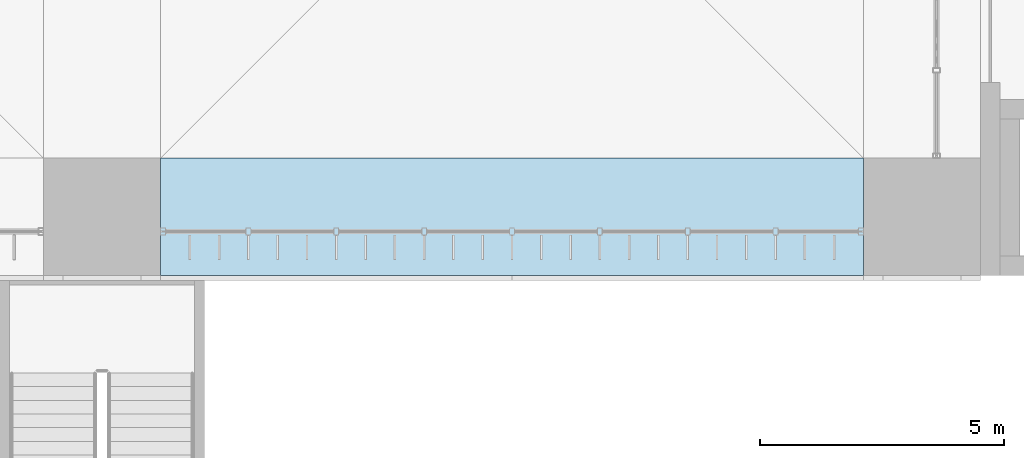
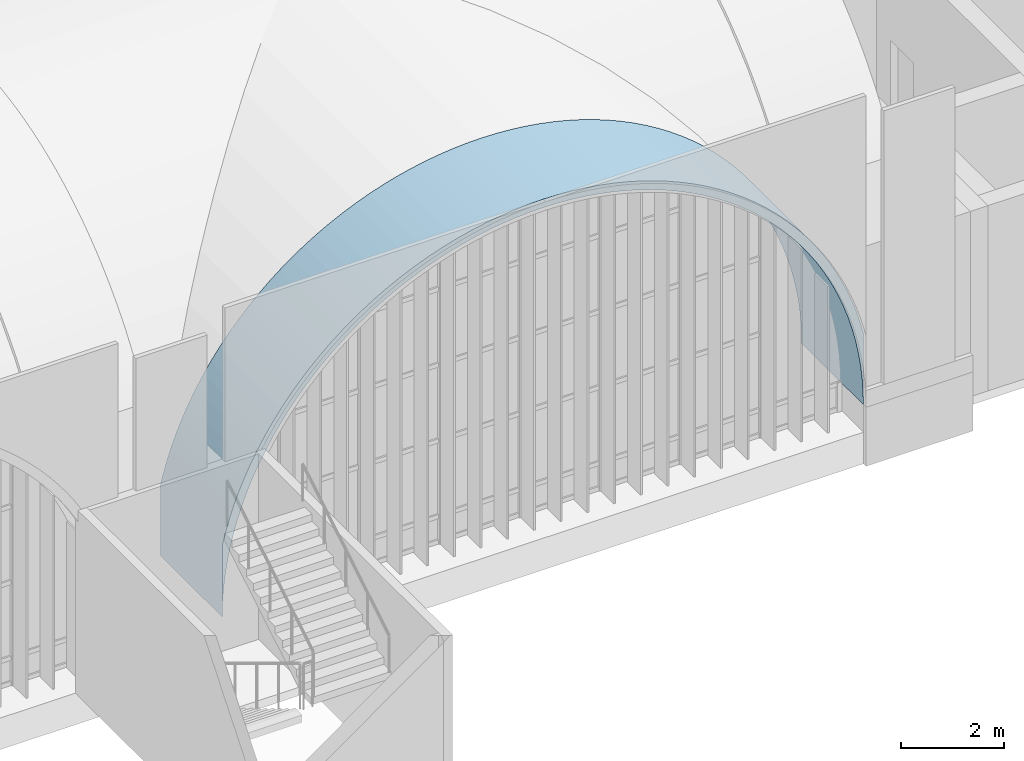
# One storey, part 140 of 169: 1 roof.
"""IFC4 building model written with IfcOpenShell, lengths in metres."""

import ifcopenshell
import ifcopenshell.guid

model = None  # the IFC model being written
_history = None  # IfcOwnerHistory: only IFC2X3 demands one
_inside = {}  # id of a spatial element -> (the spatial element, [elements in it])
_under = {}  # id of a project, library or spatial element -> (it, [spatial elements below it])
_declared = {}  # id of a project -> (the project, [libraries it declares])
_typed = {}  # id of a type object -> (the type object, [elements of that type])
_made_of = {}  # id of a material, layer set ... -> (it, [elements and type objects made of it])


def new_model(schema):
    """Start an empty IFC model of exactly this schema.

    Asked for "IFC4X3", IfcOpenShell would pick the latest addendum, in which some entities
    have other attributes; the version numbers below select the first issue.
    IFC2X3 requires an IfcOwnerHistory on every rooted entity: one is made here for all.
    """
    global model, _history
    if schema == "IFC4X3":
        model = ifcopenshell.file(schema_version=(4, 3, 0, 0))
    else:
        model = ifcopenshell.file(schema=schema)
    _inside.clear()
    _under.clear()
    _declared.clear()
    _typed.clear()
    _made_of.clear()
    _history = None
    if model.schema == "IFC2X3":
        org = make("IfcOrganization", Name="unknown")
        user = make(
            "IfcPersonAndOrganization",
            ThePerson=make("IfcPerson", FamilyName="unknown"),
            TheOrganization=org,
        )
        app = make(
            "IfcApplication",
            ApplicationDeveloper=org,
            Version="unknown",
            ApplicationFullName="unknown",
            ApplicationIdentifier="unknown",
        )
        _history = make(
            "IfcOwnerHistory",
            OwningUser=user,
            OwningApplication=app,
            ChangeAction="ADDED",
            CreationDate=0,
        )
    return model


def make(cls, **values):
    """One entity of the class cls with the attributes given. An attribute that is None is left unset."""
    return model.create_entity(
        cls, **{name: value for name, value in values.items() if value is not None}
    )


def rooted(cls, **values):
    """An entity with a GlobalId (a new one), such as an element, a storey or a relation."""
    return make(cls, GlobalId=ifcopenshell.guid.new(), OwnerHistory=_history, **values)


def si_unit(unit_type, name, prefix=None):
    """IfcSIUnit, for example si_unit("LENGTHUNIT", "METRE", prefix="MILLI")."""
    return make("IfcSIUnit", UnitType=unit_type, Prefix=prefix, Name=name)


def assignment(units):
    """IfcUnitAssignment: the units of a project."""
    return None if units is None else make("IfcUnitAssignment", Units=units)


def point(xyz):
    """IfcCartesianPoint."""
    return None if xyz is None else make("IfcCartesianPoint", Coordinates=xyz)


def direction(xyz):
    """IfcDirection."""
    return None if xyz is None else make("IfcDirection", DirectionRatios=xyz)


def frame(location, z_axis=None, x_axis=None):
    """IfcAxis2Placement3D, a coordinate frame: its origin and axes. An axis left out is left unset."""
    return make(
        "IfcAxis2Placement3D",
        Location=point(location),
        Axis=direction(z_axis),
        RefDirection=direction(x_axis),
    )


def origin():
    """The frame at (0, 0, 0) with its axes left unset."""
    return frame((0.0, 0.0, 0.0))


def place(relative_to, where):
    """IfcLocalPlacement: puts the frame where relative to a parent placement (None: the world)."""
    return make(
        "IfcLocalPlacement", PlacementRelTo=relative_to, RelativePlacement=where
    )


def context(
    kind, dimensions, precision=None, world=None, true_north=None, identifier=None
):
    """IfcGeometricRepresentationContext, for example the 3D "Model" context."""
    return make(
        "IfcGeometricRepresentationContext",
        ContextIdentifier=identifier,
        ContextType=kind,
        CoordinateSpaceDimension=dimensions,
        Precision=precision,
        WorldCoordinateSystem=world,
        TrueNorth=true_north,
    )


def subcontext(parent, identifier, kind, view, scale=None):
    """IfcGeometricRepresentationSubContext, for example "Body" below "Model"."""
    return make(
        "IfcGeometricRepresentationSubContext",
        ContextIdentifier=identifier,
        ContextType=kind,
        ParentContext=parent,
        TargetScale=scale,
        TargetView=view,
    )


def project(units=None, contexts=None):
    """IfcProject with its units and contexts."""
    return rooted(
        "IfcProject",
        Name="project",
        RepresentationContexts=contexts,
        UnitsInContext=assignment(units),
    )


def spatial(cls, under=None, at=None, **own):
    """A site, building, storey or space (cls), placed at a placement, below another one or the project."""
    s = rooted(cls, ObjectPlacement=at, **own)
    if under is not None:
        _under.setdefault(under.id(), (under, []))[1].append(s)
    return s


def point_list(points):
    """IfcCartesianPointList2D or 3D."""
    cls = (
        "IfcCartesianPointList2D" if len(points[0]) == 2 else "IfcCartesianPointList3D"
    )
    return make(cls, CoordList=points)


def polygons(points, faces, closed=None, point_numbers=None):
    """IfcPolygonalFaceSet: a face is its outer loop, then its inner loops; points numbered from 1."""
    made = []
    for loops in faces:
        if len(loops) == 1:
            made.append(make("IfcIndexedPolygonalFace", CoordIndex=loops[0]))
        else:
            made.append(
                make(
                    "IfcIndexedPolygonalFaceWithVoids",
                    CoordIndex=loops[0],
                    InnerCoordIndices=loops[1:],
                )
            )
    return make(
        "IfcPolygonalFaceSet",
        Coordinates=point_list(points),
        Closed=closed,
        Faces=made,
        PnIndex=point_numbers,
    )


def shape(context_of_items, identifier, shape_type, items):
    """IfcShapeRepresentation: the items that make up one representation, for example the "Body"."""
    return make(
        "IfcShapeRepresentation",
        ContextOfItems=context_of_items,
        RepresentationIdentifier=identifier,
        RepresentationType=shape_type,
        Items=items,
    )


def material(Name=None, Category=None):
    """IfcMaterial."""
    return make("IfcMaterial", Name=Name, Category=Category)


def layer(
    of_material, thickness, ventilated=None, Name=None, Category=None, Priority=None
):
    """IfcMaterialLayer: one layer of a wall or slab, of a material (None: an air gap)."""
    return make(
        "IfcMaterialLayer",
        Material=of_material,
        LayerThickness=thickness,
        IsVentilated=ventilated,
        Name=Name,
        Category=Category,
        Priority=Priority,
    )


def layer_set(layers, Name=None):
    """IfcMaterialLayerSet."""
    return make("IfcMaterialLayerSet", MaterialLayers=layers, LayerSetName=Name)


def made_of(thing, what):
    """Note that an element or type object is made of a material, layer set ...; save() writes the relation."""
    if what is not None:
        _made_of.setdefault(what.id(), (what, []))[1].append(thing)
    return thing


def type_object(cls, material=None, **own):
    """A type object (cls), such as IfcWallType, which elements share."""
    return made_of(rooted(cls, **own), material)


def element(
    cls,
    number,
    at=None,
    inside=None,
    cuts=None,
    type_object=None,
    material=None,
    context=None,
    identifier="Body",
    shape_type=None,
    held_by="IfcProductDefinitionShape",
    body=None,
    shapes=None,
    **own,
):
    """One element of the class cls, such as IfcWall. Its Tag is "e" and its number.

    at: its placement. inside: the storey or other place that contains it. cuts: it is an
    opening in that element (IfcRelVoidsElement). A single representation is given by context,
    identifier, shape_type and body (its items); several are given by shapes. held_by: the class
    of the entity that holds the representations. save() writes the other relations.
    """
    e = rooted(cls, Tag="e%d" % number, ObjectPlacement=at, **own)
    if body is not None:
        shapes = [shape(context, identifier, shape_type, body)]
    if shapes is not None:
        e.Representation = make(held_by, Representations=shapes)
    if inside is not None:
        _inside.setdefault(inside.id(), (inside, []))[1].append(e)
    if cuts is not None:
        rooted(
            "IfcRelVoidsElement", RelatingBuildingElement=cuts, RelatedOpeningElement=e
        )
    if type_object is not None:
        _typed.setdefault(type_object.id(), (type_object, []))[1].append(e)
    return made_of(e, material)


def aggregate(whole, parts):
    """IfcRelAggregates: a whole, such as a stair, and the parts it consists of."""
    return rooted("IfcRelAggregates", RelatingObject=whole, RelatedObjects=parts)


def save(model, path):
    """Write the relations noted so far, then the file.

    IfcRelAggregates (storeys below a building ...), IfcRelContainedInSpatialStructure (elements
    in a storey), IfcRelDefinesByType, IfcRelAssociatesMaterial and IfcRelDeclares: one each for
    every whole, place, type object, material and project.
    """
    for whole, parts in _under.values():
        aggregate(whole, parts)
    for where, things in _inside.values():
        rooted(
            "IfcRelContainedInSpatialStructure",
            RelatedElements=things,
            RelatingStructure=where,
        )
    for kind, things in _typed.values():
        rooted("IfcRelDefinesByType", RelatedObjects=things, RelatingType=kind)
    for what, things in _made_of.values():
        rooted("IfcRelAssociatesMaterial", RelatedObjects=things, RelatingMaterial=what)
    for by, libraries in _declared.values():
        rooted("IfcRelDeclares", RelatingContext=by, RelatedDefinitions=libraries)
    model.write(path)


model = new_model("IFC4")

# Units and contexts
model_context = context("Model", 3, precision=1e-05, world=origin(), true_north=direction((0.0, 1.0)))
body_context = subcontext(model_context, "Body", "Model", "MODEL_VIEW")
ifc_project = project(units=[si_unit("LENGTHUNIT", "METRE"), si_unit("AREAUNIT", "SQUARE_METRE"), si_unit("VOLUMEUNIT", "CUBIC_METRE"), si_unit("PLANEANGLEUNIT", "RADIAN"), si_unit("MASSUNIT", "GRAM", prefix="KILO")], contexts=[model_context])

# Site, building, storey
site_placement = place(None, origin())
site = spatial("IfcSite", under=ifc_project, at=site_placement, CompositionType="ELEMENT")
building_placement = place(site_placement, origin())
building = spatial("IfcBuilding", under=site, at=building_placement, Name="Verrick Yard Athletic Hall", CompositionType="ELEMENT")
storey_placement = place(building_placement, frame((0.0, 0.0, 4.39990234375)))
storey = spatial("IfcBuildingStorey", under=building, at=storey_placement, Name="L01", CompositionType="ELEMENT", Elevation=4.39990234375)

# Roof
ifc_material = material(Name="Concrete 35 MPa", Category="concrete")
ifc_layer = layer(ifc_material, 0.199951171875)
ifc_layer_set = layer_set([ifc_layer], Name="Arch rib 200")
roof_type = type_object("IfcRoofType", Name="Arch rib 200", PredefinedType="BARREL_ROOF", material=ifc_layer_set)
roof_placement = place(storey_placement, origin())
element("IfcRoof", 1, at=roof_placement, inside=storey, type_object=roof_type, Name="Vault rib S7", PredefinedType="BARREL_ROOF", context=body_context, shape_type="Tessellation", body=[
    polygons([(142.0, 18.0, 2.352294921875), (142.0, 18.0, 0.650146484375), (142.0068359375, 18.0, 0.964111328125), (142.02734375, 18.0, 1.277587890625), (142.0615234375, 18.0, 1.58984375), (142.109375, 18.0, 1.900390625), (142.170654296875, 18.0, 2.20849609375), (142.245361328125, 18.0, 2.513671875), (142.333251953125, 18.0, 2.815185546875), (142.43408203125, 18.0, 3.112548828125), (142.548095703125, 18.0, 3.405517578125), (142.674560546875, 18.0, 3.693115234375), (142.8134765625, 18.0, 3.974609375), (142.964599609375, 18.0, 4.25), (143.127685546875, 18.0, 4.518798828125), (143.302001953125, 18.0, 4.77978515625), (143.48779296875, 18.0, 5.033203125), (143.6845703125, 18.0, 5.278076171875), (143.8916015625, 18.0, 5.514404296875), (144.10888671875, 18.0, 5.7412109375), (144.335693359375, 18.0, 5.95849609375), (144.572021484375, 18.0, 6.16552734375), (144.81689453125, 18.0, 6.3623046875), (145.0703125, 18.0, 6.548095703125), (145.331298828125, 18.0, 6.722412109375), (145.60009765625, 18.0, 6.885498046875), (145.87548828125, 18.0, 7.03662109375), (146.156982421875, 18.0, 7.175537109375), (146.444580078125, 18.0, 7.302001953125), (146.737548828125, 18.0, 7.416015625), (147.034912109375, 18.0, 7.516845703125), (147.33642578125, 18.0, 7.604736328125), (147.6416015625, 18.0, 7.679443359375), (147.94970703125, 18.0, 7.74072265625), (148.26025390625, 18.0, 7.78857421875), (148.572509765625, 18.0, 7.82275390625), (148.885986328125, 18.0, 7.84326171875), (149.199951171875, 18.0, 7.85009765625), (149.51416015625, 18.0, 7.84326171875), (149.827392578125, 18.0, 7.82275390625), (150.139892578125, 18.0, 7.78857421875), (150.4501953125, 18.0, 7.74072265625), (150.75830078125, 18.0, 7.679443359375), (151.0634765625, 18.0, 7.604736328125), (151.364990234375, 18.0, 7.516845703125), (151.66259765625, 18.0, 7.416015625), (151.955322265625, 18.0, 7.302001953125), (152.242919921875, 18.0, 7.175537109375), (152.524658203125, 18.0, 7.03662109375), (152.800048828125, 18.0, 6.885498046875), (153.068603515625, 18.0, 6.722412109375), (153.329833984375, 18.0, 6.548095703125), (153.5830078125, 18.0, 6.3623046875), (153.828125, 18.0, 6.16552734375), (154.064208984375, 18.0, 5.95849609375), (154.291259765625, 18.0, 5.7412109375), (154.50830078125, 18.0, 5.514404296875), (154.715576171875, 18.0, 5.278076171875), (154.912109375, 18.0, 5.033203125), (155.097900390625, 18.0, 4.77978515625), (155.2724609375, 18.0, 4.518798828125), (155.435302734375, 18.0, 4.25), (155.58642578125, 18.0, 3.974609375), (155.725341796875, 18.0, 3.693115234375), (155.851806640625, 18.0, 3.405517578125), (155.9658203125, 18.0, 3.112548828125), (156.06689453125, 18.0, 2.815185546875), (156.15478515625, 18.0, 2.513671875), (156.229248046875, 18.0, 2.20849609375), (156.29052734375, 18.0, 1.900390625), (156.33837890625, 18.0, 1.58984375), (156.37255859375, 18.0, 1.277587890625), (156.39306640625, 18.0, 0.964111328125), (156.39990234375, 18.0, 0.650146484375), (156.39990234375, 18.0, 2.352294921875), (156.347900390625, 18.0, 2.5654296875), (156.257568359375, 18.0, 2.875244140625), (156.15380859375, 18.0, 3.180908203125), (156.03662109375, 18.0, 3.48193359375), (155.90673828125, 18.0, 3.777587890625), (155.763916015625, 18.0, 4.06689453125), (155.608642578125, 18.0, 4.35009765625), (155.441162109375, 18.0, 4.6259765625), (155.26171875, 18.0, 4.89453125), (155.07080078125, 18.0, 5.15478515625), (154.86865234375, 18.0, 5.40673828125), (154.656005859375, 18.0, 5.6494140625), (154.4326171875, 18.0, 5.8828125), (154.199462890625, 18.0, 6.10595703125), (153.95654296875, 18.0, 6.31884765625), (153.704833984375, 18.0, 6.52099609375), (153.444580078125, 18.0, 6.7119140625), (153.176025390625, 18.0, 6.89111328125), (152.89990234375, 18.0, 7.05859375), (152.616943359375, 18.0, 7.214111328125), (152.327392578125, 18.0, 7.356689453125), (152.031982421875, 18.0, 7.48681640625), (151.73095703125, 18.0, 7.603759765625), (151.42529296875, 18.0, 7.70751953125), (151.115234375, 18.0, 7.798095703125), (150.8017578125, 18.0, 7.874755859375), (150.485107421875, 18.0, 7.937744140625), (150.166015625, 18.0, 7.98681640625), (149.844970703125, 18.0, 8.02197265625), (149.522705078125, 18.0, 8.043212890625), (149.199951171875, 18.0, 8.050048828125), (148.877197265625, 18.0, 8.043212890625), (148.554931640625, 18.0, 8.02197265625), (148.234130859375, 18.0, 7.98681640625), (147.9150390625, 18.0, 7.937744140625), (147.598388671875, 18.0, 7.874755859375), (147.28466796875, 18.0, 7.798095703125), (146.974853515625, 18.0, 7.70751953125), (146.669189453125, 18.0, 7.603759765625), (146.3681640625, 18.0, 7.48681640625), (146.072509765625, 18.0, 7.356689453125), (145.783203125, 18.0, 7.214111328125), (145.5, 18.0, 7.05859375), (145.22412109375, 18.0, 6.89111328125), (144.95556640625, 18.0, 6.7119140625), (144.6953125, 18.0, 6.52099609375), (144.443359375, 18.0, 6.31884765625), (144.20068359375, 18.0, 6.10595703125), (143.96728515625, 18.0, 5.8828125), (143.744140625, 18.0, 5.6494140625), (143.53125, 18.0, 5.40673828125), (143.3291015625, 18.0, 5.15478515625), (143.13818359375, 18.0, 4.89453125), (142.958984375, 18.0, 4.6259765625), (142.79150390625, 18.0, 4.35009765625), (142.635986328125, 18.0, 4.06689453125), (142.493408203125, 18.0, 3.777587890625), (142.36328125, 18.0, 3.48193359375), (142.246337890625, 18.0, 3.180908203125), (142.142578125, 18.0, 2.875244140625), (142.052001953125, 18.0, 2.5654296875), (142.0, 20.39990234375, 2.352294921875), (142.0, 20.39990234375, 0.650146484375), (142.0068359375, 20.39990234375, 0.964111328125), (142.02734375, 20.39990234375, 1.277587890625), (142.0615234375, 20.39990234375, 1.58984375), (142.109375, 20.39990234375, 1.900390625), (142.170654296875, 20.39990234375, 2.20849609375), (142.245361328125, 20.39990234375, 2.513671875), (142.333251953125, 20.39990234375, 2.815185546875), (142.43408203125, 20.39990234375, 3.112548828125), (142.548095703125, 20.39990234375, 3.405517578125), (142.674560546875, 20.39990234375, 3.693115234375), (142.8134765625, 20.39990234375, 3.974609375), (142.964599609375, 20.39990234375, 4.25), (143.127685546875, 20.39990234375, 4.518798828125), (143.302001953125, 20.39990234375, 4.77978515625), (143.48779296875, 20.39990234375, 5.033203125), (143.6845703125, 20.39990234375, 5.278076171875), (143.8916015625, 20.39990234375, 5.514404296875), (144.10888671875, 20.39990234375, 5.7412109375), (144.335693359375, 20.39990234375, 5.95849609375), (144.572021484375, 20.39990234375, 6.16552734375), (144.81689453125, 20.39990234375, 6.3623046875), (145.0703125, 20.39990234375, 6.548095703125), (145.331298828125, 20.39990234375, 6.722412109375), (145.60009765625, 20.39990234375, 6.885498046875), (145.87548828125, 20.39990234375, 7.03662109375), (146.156982421875, 20.39990234375, 7.175537109375), (146.444580078125, 20.39990234375, 7.302001953125), (146.737548828125, 20.39990234375, 7.416015625), (147.034912109375, 20.39990234375, 7.516845703125), (147.33642578125, 20.39990234375, 7.604736328125), (147.6416015625, 20.39990234375, 7.679443359375), (147.94970703125, 20.39990234375, 7.74072265625), (148.26025390625, 20.39990234375, 7.78857421875), (148.572509765625, 20.39990234375, 7.82275390625), (148.885986328125, 20.39990234375, 7.84326171875), (149.199951171875, 20.39990234375, 7.85009765625), (149.51416015625, 20.39990234375, 7.84326171875), (149.827392578125, 20.39990234375, 7.82275390625), (150.139892578125, 20.39990234375, 7.78857421875), (150.4501953125, 20.39990234375, 7.74072265625), (150.75830078125, 20.39990234375, 7.679443359375), (151.0634765625, 20.39990234375, 7.604736328125), (151.364990234375, 20.39990234375, 7.516845703125), (151.66259765625, 20.39990234375, 7.416015625), (151.955322265625, 20.39990234375, 7.302001953125), (152.242919921875, 20.39990234375, 7.175537109375), (152.524658203125, 20.39990234375, 7.03662109375), (152.800048828125, 20.39990234375, 6.885498046875), (153.068603515625, 20.39990234375, 6.722412109375), (153.329833984375, 20.39990234375, 6.548095703125), (153.5830078125, 20.39990234375, 6.3623046875), (153.828125, 20.39990234375, 6.16552734375), (154.064208984375, 20.39990234375, 5.95849609375), (154.291259765625, 20.39990234375, 5.7412109375), (154.50830078125, 20.39990234375, 5.514404296875), (154.715576171875, 20.39990234375, 5.278076171875), (154.912109375, 20.39990234375, 5.033203125), (155.097900390625, 20.39990234375, 4.77978515625), (155.2724609375, 20.39990234375, 4.518798828125), (155.435302734375, 20.39990234375, 4.25), (155.58642578125, 20.39990234375, 3.974609375), (155.725341796875, 20.39990234375, 3.693115234375), (155.851806640625, 20.39990234375, 3.405517578125), (155.9658203125, 20.39990234375, 3.112548828125), (156.06689453125, 20.39990234375, 2.815185546875), (156.15478515625, 20.39990234375, 2.513671875), (156.229248046875, 20.39990234375, 2.20849609375), (156.29052734375, 20.39990234375, 1.900390625), (156.33837890625, 20.39990234375, 1.58984375), (156.37255859375, 20.39990234375, 1.277587890625), (156.39306640625, 20.39990234375, 0.964111328125), (156.39990234375, 20.39990234375, 0.650146484375), (156.39990234375, 20.39990234375, 2.352294921875), (156.347900390625, 20.39990234375, 2.5654296875), (156.257568359375, 20.39990234375, 2.875244140625), (156.15380859375, 20.39990234375, 3.180908203125), (156.03662109375, 20.39990234375, 3.48193359375), (155.90673828125, 20.39990234375, 3.777587890625), (155.763916015625, 20.39990234375, 4.06689453125), (155.608642578125, 20.39990234375, 4.35009765625), (155.441162109375, 20.39990234375, 4.6259765625), (155.26171875, 20.39990234375, 4.89453125), (155.07080078125, 20.39990234375, 5.15478515625), (154.86865234375, 20.39990234375, 5.40673828125), (154.656005859375, 20.39990234375, 5.6494140625), (154.4326171875, 20.39990234375, 5.8828125), (154.199462890625, 20.39990234375, 6.10595703125), (153.95654296875, 20.39990234375, 6.31884765625), (153.704833984375, 20.39990234375, 6.52099609375), (153.444580078125, 20.39990234375, 6.7119140625), (153.176025390625, 20.39990234375, 6.89111328125), (152.89990234375, 20.39990234375, 7.05859375), (152.616943359375, 20.39990234375, 7.214111328125), (152.327392578125, 20.39990234375, 7.356689453125), (152.031982421875, 20.39990234375, 7.48681640625), (151.73095703125, 20.39990234375, 7.603759765625), (151.42529296875, 20.39990234375, 7.70751953125), (151.115234375, 20.39990234375, 7.798095703125), (150.8017578125, 20.39990234375, 7.874755859375), (150.485107421875, 20.39990234375, 7.937744140625), (150.166015625, 20.39990234375, 7.98681640625), (149.844970703125, 20.39990234375, 8.02197265625), (149.522705078125, 20.39990234375, 8.043212890625), (149.199951171875, 20.39990234375, 8.050048828125), (148.877197265625, 20.39990234375, 8.043212890625), (148.554931640625, 20.39990234375, 8.02197265625), (148.234130859375, 20.39990234375, 7.98681640625), (147.9150390625, 20.39990234375, 7.937744140625), (147.598388671875, 20.39990234375, 7.874755859375), (147.28466796875, 20.39990234375, 7.798095703125), (146.974853515625, 20.39990234375, 7.70751953125), (146.669189453125, 20.39990234375, 7.603759765625), (146.3681640625, 20.39990234375, 7.48681640625), (146.072509765625, 20.39990234375, 7.356689453125), (145.783203125, 20.39990234375, 7.214111328125), (145.5, 20.39990234375, 7.05859375), (145.22412109375, 20.39990234375, 6.89111328125), (144.95556640625, 20.39990234375, 6.7119140625), (144.6953125, 20.39990234375, 6.52099609375), (144.443359375, 20.39990234375, 6.31884765625), (144.20068359375, 20.39990234375, 6.10595703125), (143.96728515625, 20.39990234375, 5.8828125), (143.744140625, 20.39990234375, 5.6494140625), (143.53125, 20.39990234375, 5.40673828125), (143.3291015625, 20.39990234375, 5.15478515625), (143.13818359375, 20.39990234375, 4.89453125), (142.958984375, 20.39990234375, 4.6259765625), (142.79150390625, 20.39990234375, 4.35009765625), (142.635986328125, 20.39990234375, 4.06689453125), (142.493408203125, 20.39990234375, 3.777587890625), (142.36328125, 20.39990234375, 3.48193359375), (142.246337890625, 20.39990234375, 3.180908203125), (142.142578125, 20.39990234375, 2.875244140625), (142.052001953125, 20.39990234375, 2.5654296875)], [[[1, 2, 3]], [[137, 139, 138]], [[136, 1, 3]], [[272, 139, 137]], [[136, 3, 4]], [[272, 140, 139]], [[136, 4, 5]], [[272, 141, 140]], [[136, 5, 6]], [[272, 142, 141]], [[136, 6, 7]], [[272, 143, 142]], [[136, 7, 8]], [[272, 144, 143]], [[136, 8, 9]], [[272, 145, 144]], [[136, 9, 10]], [[272, 146, 145]], [[136, 10, 11]], [[272, 147, 146]], [[136, 11, 12]], [[272, 148, 147]], [[136, 12, 13]], [[272, 149, 148]], [[73, 74, 75]], [[209, 211, 210]], [[72, 73, 75]], [[208, 211, 209]], [[71, 72, 75]], [[207, 211, 208]], [[70, 71, 75]], [[206, 211, 207]], [[69, 70, 75]], [[205, 211, 206]], [[68, 69, 75]], [[204, 211, 205]], [[67, 68, 75]], [[203, 211, 204]], [[66, 67, 75]], [[202, 211, 203]], [[65, 66, 75]], [[201, 211, 202]], [[64, 65, 75]], [[200, 211, 201]], [[63, 64, 75]], [[199, 211, 200]], [[63, 75, 76]], [[199, 212, 211]], [[63, 76, 77]], [[199, 213, 212]], [[62, 63, 77]], [[198, 213, 199]], [[62, 77, 78]], [[198, 214, 213]], [[61, 62, 78]], [[197, 214, 198]], [[61, 78, 79]], [[197, 215, 214]], [[60, 61, 79]], [[196, 215, 197]], [[60, 79, 80]], [[196, 216, 215]], [[59, 60, 80]], [[195, 216, 196]], [[59, 80, 81]], [[195, 217, 216]], [[58, 59, 81]], [[194, 217, 195]], [[58, 81, 82]], [[194, 218, 217]], [[57, 58, 82]], [[193, 218, 194]], [[57, 82, 83]], [[193, 219, 218]], [[56, 57, 83]], [[192, 219, 193]], [[56, 83, 84]], [[192, 220, 219]], [[55, 56, 84]], [[191, 220, 192]], [[55, 84, 85]], [[191, 221, 220]], [[54, 55, 85]], [[190, 221, 191]], [[54, 85, 86]], [[190, 222, 221]], [[53, 54, 86]], [[189, 222, 190]], [[53, 86, 87]], [[189, 223, 222]], [[52, 53, 87]], [[188, 223, 189]], [[52, 87, 88]], [[188, 224, 223]], [[51, 52, 88]], [[187, 224, 188]], [[51, 88, 89]], [[187, 225, 224]], [[50, 51, 89]], [[186, 225, 187]], [[50, 89, 90]], [[186, 226, 225]], [[49, 50, 90]], [[185, 226, 186]], [[49, 90, 91]], [[185, 227, 226]], [[48, 49, 91]], [[184, 227, 185]], [[48, 91, 92]], [[184, 228, 227]], [[47, 48, 92]], [[183, 228, 184]], [[47, 92, 93]], [[183, 229, 228]], [[46, 47, 93]], [[182, 229, 183]], [[46, 93, 94]], [[182, 230, 229]], [[45, 46, 94]], [[181, 230, 182]], [[45, 94, 95]], [[181, 231, 230]], [[44, 45, 95]], [[180, 231, 181]], [[44, 95, 96]], [[180, 232, 231]], [[43, 44, 96]], [[179, 232, 180]], [[43, 96, 97]], [[179, 233, 232]], [[42, 43, 97]], [[178, 233, 179]], [[42, 97, 98]], [[178, 234, 233]], [[41, 42, 98]], [[177, 234, 178]], [[41, 98, 99]], [[177, 235, 234]], [[40, 41, 99]], [[176, 235, 177]], [[40, 99, 100]], [[176, 236, 235]], [[39, 40, 100]], [[175, 236, 176]], [[39, 100, 101]], [[175, 237, 236]], [[38, 39, 101]], [[174, 237, 175]], [[38, 101, 102]], [[174, 238, 237]], [[37, 38, 102]], [[173, 238, 174]], [[37, 102, 103]], [[173, 239, 238]], [[36, 37, 103]], [[172, 239, 173]], [[36, 103, 104]], [[172, 240, 239]], [[35, 36, 104]], [[171, 240, 172]], [[35, 104, 105]], [[171, 241, 240]], [[34, 35, 105]], [[170, 241, 171]], [[34, 105, 106]], [[170, 242, 241]], [[33, 34, 106]], [[169, 242, 170]], [[33, 106, 107]], [[169, 243, 242]], [[32, 33, 107]], [[168, 243, 169]], [[32, 107, 108]], [[168, 244, 243]], [[31, 32, 108]], [[167, 244, 168]], [[31, 108, 109]], [[167, 245, 244]], [[30, 31, 109]], [[166, 245, 167]], [[30, 109, 110]], [[166, 246, 245]], [[29, 30, 110]], [[165, 246, 166]], [[29, 110, 111]], [[165, 247, 246]], [[28, 29, 111]], [[164, 247, 165]], [[28, 111, 112]], [[164, 248, 247]], [[27, 28, 112]], [[163, 248, 164]], [[27, 112, 113]], [[163, 249, 248]], [[26, 27, 113]], [[162, 249, 163]], [[26, 113, 114]], [[162, 250, 249]], [[25, 26, 114]], [[161, 250, 162]], [[25, 114, 115]], [[161, 251, 250]], [[24, 25, 115]], [[160, 251, 161]], [[24, 115, 116]], [[160, 252, 251]], [[23, 24, 116]], [[159, 252, 160]], [[23, 116, 117]], [[159, 253, 252]], [[22, 23, 117]], [[158, 253, 159]], [[22, 117, 118]], [[158, 254, 253]], [[21, 22, 118]], [[157, 254, 158]], [[21, 118, 119]], [[157, 255, 254]], [[20, 21, 119]], [[156, 255, 157]], [[20, 119, 120]], [[156, 256, 255]], [[19, 20, 120]], [[155, 256, 156]], [[19, 120, 121]], [[155, 257, 256]], [[18, 19, 121]], [[154, 257, 155]], [[18, 121, 122]], [[154, 258, 257]], [[17, 18, 122]], [[153, 258, 154]], [[17, 122, 123]], [[153, 259, 258]], [[16, 17, 123]], [[152, 259, 153]], [[16, 123, 124]], [[152, 260, 259]], [[15, 16, 124]], [[151, 260, 152]], [[15, 124, 125]], [[151, 261, 260]], [[14, 15, 125]], [[150, 261, 151]], [[14, 125, 126]], [[150, 262, 261]], [[13, 14, 126]], [[149, 262, 150]], [[136, 13, 126]], [[272, 262, 149]], [[136, 126, 127]], [[272, 263, 262]], [[136, 127, 128]], [[272, 264, 263]], [[136, 128, 129]], [[272, 265, 264]], [[136, 129, 130]], [[272, 266, 265]], [[136, 130, 131]], [[272, 267, 266]], [[136, 131, 132]], [[272, 268, 267]], [[136, 132, 133]], [[272, 269, 268]], [[136, 133, 134]], [[272, 270, 269]], [[134, 135, 136]], [[270, 272, 271]], [[1, 138, 2]], [[1, 137, 138]], [[2, 139, 3]], [[2, 138, 139]], [[3, 140, 4]], [[3, 139, 140]], [[4, 141, 5]], [[4, 140, 141]], [[5, 142, 6]], [[5, 141, 142]], [[6, 143, 7]], [[6, 142, 143]], [[7, 144, 8]], [[7, 143, 144]], [[8, 145, 9]], [[8, 144, 145]], [[9, 146, 10]], [[9, 145, 146]], [[10, 147, 11]], [[10, 146, 147]], [[11, 148, 12]], [[11, 147, 148]], [[12, 149, 13]], [[12, 148, 149]], [[13, 150, 14]], [[13, 149, 150]], [[14, 151, 15]], [[14, 150, 151]], [[15, 152, 16]], [[15, 151, 152]], [[16, 153, 17]], [[16, 152, 153]], [[17, 154, 18]], [[17, 153, 154]], [[18, 155, 19]], [[18, 154, 155]], [[19, 156, 20]], [[19, 155, 156]], [[20, 157, 21]], [[20, 156, 157]], [[21, 158, 22]], [[21, 157, 158]], [[22, 159, 23]], [[22, 158, 159]], [[23, 160, 24]], [[23, 159, 160]], [[24, 161, 25]], [[24, 160, 161]], [[25, 162, 26]], [[25, 161, 162]], [[26, 163, 27]], [[26, 162, 163]], [[27, 164, 28]], [[27, 163, 164]], [[28, 165, 29]], [[28, 164, 165]], [[29, 166, 30]], [[29, 165, 166]], [[30, 167, 31]], [[30, 166, 167]], [[31, 168, 32]], [[31, 167, 168]], [[32, 169, 33]], [[32, 168, 169]], [[33, 170, 34]], [[33, 169, 170]], [[34, 171, 35]], [[34, 170, 171]], [[35, 172, 36]], [[35, 171, 172]], [[36, 173, 37]], [[36, 172, 173]], [[37, 174, 38]], [[37, 173, 174]], [[38, 175, 39]], [[38, 174, 175]], [[39, 176, 40]], [[39, 175, 176]], [[40, 177, 41]], [[40, 176, 177]], [[41, 178, 42]], [[41, 177, 178]], [[42, 179, 43]], [[42, 178, 179]], [[43, 180, 44]], [[43, 179, 180]], [[44, 181, 45]], [[44, 180, 181]], [[45, 182, 46]], [[45, 181, 182]], [[46, 183, 47]], [[46, 182, 183]], [[47, 184, 48]], [[47, 183, 184]], [[48, 185, 49]], [[48, 184, 185]], [[49, 186, 50]], [[49, 185, 186]], [[50, 187, 51]], [[50, 186, 187]], [[51, 188, 52]], [[51, 187, 188]], [[52, 189, 53]], [[52, 188, 189]], [[53, 190, 54]], [[53, 189, 190]], [[54, 191, 55]], [[54, 190, 191]], [[55, 192, 56]], [[55, 191, 192]], [[56, 193, 57]], [[56, 192, 193]], [[57, 194, 58]], [[57, 193, 194]], [[58, 195, 59]], [[58, 194, 195]], [[59, 196, 60]], [[59, 195, 196]], [[60, 197, 61]], [[60, 196, 197]], [[61, 198, 62]], [[61, 197, 198]], [[62, 199, 63]], [[62, 198, 199]], [[63, 200, 64]], [[63, 199, 200]], [[64, 201, 65]], [[64, 200, 201]], [[65, 202, 66]], [[65, 201, 202]], [[66, 203, 67]], [[66, 202, 203]], [[67, 204, 68]], [[67, 203, 204]], [[68, 205, 69]], [[68, 204, 205]], [[69, 206, 70]], [[69, 205, 206]], [[70, 207, 71]], [[70, 206, 207]], [[71, 208, 72]], [[71, 207, 208]], [[72, 209, 73]], [[72, 208, 209]], [[73, 210, 74]], [[73, 209, 210]], [[74, 211, 75]], [[74, 210, 211]], [[75, 212, 76]], [[75, 211, 212]], [[76, 213, 77]], [[76, 212, 213]], [[77, 214, 78]], [[77, 213, 214]], [[78, 215, 79]], [[78, 214, 215]], [[79, 216, 80]], [[79, 215, 216]], [[80, 217, 81]], [[80, 216, 217]], [[81, 218, 82]], [[81, 217, 218]], [[82, 219, 83]], [[82, 218, 219]], [[83, 220, 84]], [[83, 219, 220]], [[84, 221, 85]], [[84, 220, 221]], [[85, 222, 86]], [[85, 221, 222]], [[86, 223, 87]], [[86, 222, 223]], [[87, 224, 88]], [[87, 223, 224]], [[88, 225, 89]], [[88, 224, 225]], [[89, 226, 90]], [[89, 225, 226]], [[90, 227, 91]], [[90, 226, 227]], [[91, 228, 92]], [[91, 227, 228]], [[92, 229, 93]], [[92, 228, 229]], [[93, 230, 94]], [[93, 229, 230]], [[94, 231, 95]], [[94, 230, 231]], [[95, 232, 96]], [[95, 231, 232]], [[96, 233, 97]], [[96, 232, 233]], [[97, 234, 98]], [[97, 233, 234]], [[98, 235, 99]], [[98, 234, 235]], [[99, 236, 100]], [[99, 235, 236]], [[100, 237, 101]], [[100, 236, 237]], [[101, 238, 102]], [[101, 237, 238]], [[102, 239, 103]], [[102, 238, 239]], [[103, 240, 104]], [[103, 239, 240]], [[104, 241, 105]], [[104, 240, 241]], [[105, 242, 106]], [[105, 241, 242]], [[106, 243, 107]], [[106, 242, 243]], [[107, 244, 108]], [[107, 243, 244]], [[108, 245, 109]], [[108, 244, 245]], [[109, 246, 110]], [[109, 245, 246]], [[110, 247, 111]], [[110, 246, 247]], [[111, 248, 112]], [[111, 247, 248]], [[112, 249, 113]], [[112, 248, 249]], [[113, 250, 114]], [[113, 249, 250]], [[114, 251, 115]], [[114, 250, 251]], [[115, 252, 116]], [[115, 251, 252]], [[116, 253, 117]], [[116, 252, 253]], [[117, 254, 118]], [[117, 253, 254]], [[118, 255, 119]], [[118, 254, 255]], [[119, 256, 120]], [[119, 255, 256]], [[120, 257, 121]], [[120, 256, 257]], [[121, 258, 122]], [[121, 257, 258]], [[122, 259, 123]], [[122, 258, 259]], [[123, 260, 124]], [[123, 259, 260]], [[124, 261, 125]], [[124, 260, 261]], [[125, 262, 126]], [[125, 261, 262]], [[126, 263, 127]], [[126, 262, 263]], [[127, 264, 128]], [[127, 263, 264]], [[128, 265, 129]], [[128, 264, 265]], [[129, 266, 130]], [[129, 265, 266]], [[130, 267, 131]], [[130, 266, 267]], [[131, 268, 132]], [[131, 267, 268]], [[132, 269, 133]], [[132, 268, 269]], [[133, 270, 134]], [[133, 269, 270]], [[134, 271, 135]], [[134, 270, 271]], [[135, 272, 136]], [[135, 271, 272]], [[136, 137, 1]], [[136, 272, 137]]], closed=True),
])

save(model, "model.ifc")
